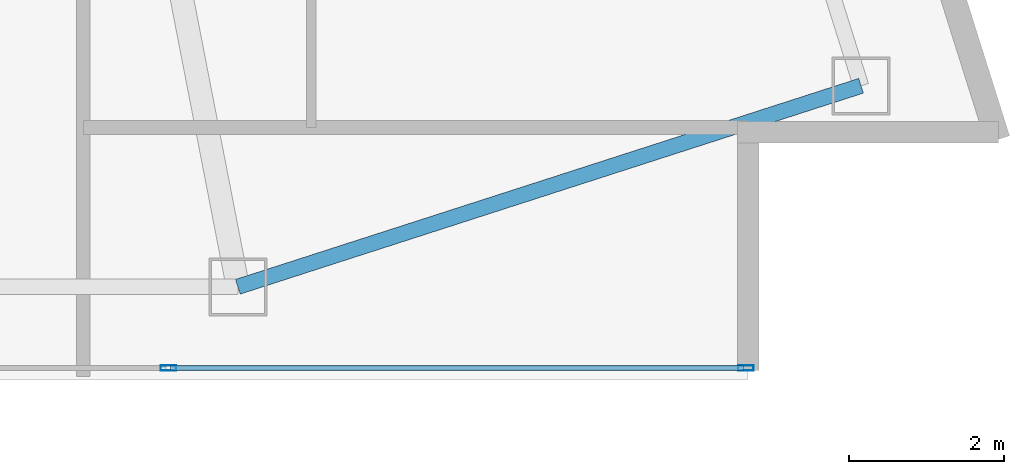
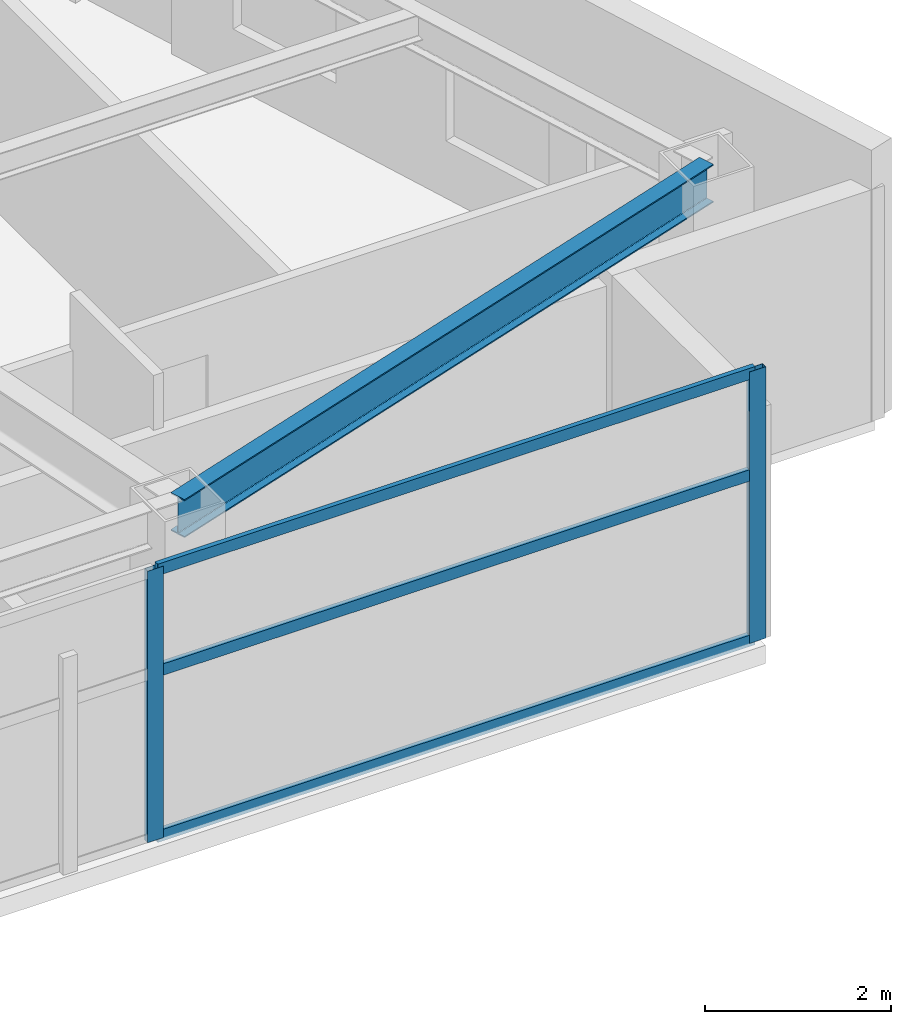
# One storey, part 14 of 29: 5 members, 1 beam, 1 element without a shape of its own.
"""IFC4 building model written with IfcOpenShell, lengths in metres."""

from ifc_helpers import new_model, si_unit, direction, frame, origin, origin_2d, place, context, subcontext, project, spatial, hollow_rectangle, i_section, extrude, material, layer, layer_set, material_profile, profile_set, type_object, element, aggregate, save


model = new_model("IFC4")

# Units and contexts
model_context = context("Model", 3, precision=1e-05, world=origin(), true_north=direction((0.0, 1.0)))
body_context = subcontext(model_context, "Body", "Model", "MODEL_VIEW")
ifc_project = project(units=[si_unit("LENGTHUNIT", "METRE"), si_unit("AREAUNIT", "SQUARE_METRE"), si_unit("VOLUMEUNIT", "CUBIC_METRE"), si_unit("PLANEANGLEUNIT", "RADIAN"), si_unit("MASSUNIT", "GRAM", prefix="KILO")], contexts=[model_context])

# Site, building, storey
site_placement = place(None, origin())
site = spatial("IfcSite", under=ifc_project, at=site_placement, CompositionType="ELEMENT")
building_placement = place(site_placement, origin())
building = spatial("IfcBuilding", under=site, at=building_placement, Name="Calvorn Quay Hotel", CompositionType="ELEMENT")
storey_placement = place(building_placement, frame((0.0, 0.0, 105.0)))
storey = spatial("IfcBuildingStorey", under=building, at=storey_placement, Name="L25", CompositionType="ELEMENT", Elevation=105.0)

# Beam
ifc_material_1 = material(Name="Steel Q355B", Category="steel")
ifc_material_profile_1 = material_profile(ifc_material_1, i_section(OverallWidth=0.199951171875, OverallDepth=0.5, WebThickness=0.010009765625, FlangeThickness=0.01611328125, FilletRadius=0.01611328125, at=origin_2d()), Name="HN500x200x10x16")
ifc_profile_set_1 = profile_set([ifc_material_profile_1], Name="Steel Q355B")
beam_type = type_object("IfcBeamType", Name="BM-SPANDREL-Z1", PredefinedType="SPANDREL", material=ifc_profile_set_1)
beam_placement = place(storey_placement, frame((49.39990234375, 3.60009765625, 3.2900390625), z_axis=(0.951725188386, 0.306951406237, 0.0), x_axis=(-0.306951406237, 0.951725188386, 0.0)))
element("IfcBeam", 1, at=beam_placement, inside=storey, type_object=beam_type, Name="Beam BSP-L25-S6", PredefinedType="SPANDREL", context=body_context, shape_type="SweptSolid", body=[
    extrude(i_section(OverallWidth=0.199951171875, OverallDepth=0.5, WebThickness=0.010009765625, FlangeThickness=0.01611328125, FilletRadius=0.01611328125, at=origin_2d()), origin(), (0.0, 0.0, 1.0), 8.469970703125),
])

# Curtain wall, members
ifc_material_2 = material(Name="Pale Anodised Aluminium and Low-E Glass", Category="aluminium")
ifc_layer = layer(ifc_material_2, 0.219970703125)
ifc_layer_set = layer_set([ifc_layer], Name="CW-SYS-Z2")
curtain_wall_type = type_object("IfcCurtainWallType", Name="CW-SYS-Z2", PredefinedType="NOTDEFINED", material=ifc_layer_set)
curtain_wall_placement = place(storey_placement, origin())
curtain_wall = element("IfcCurtainWall", 2, at=curtain_wall_placement, inside=storey, type_object=curtain_wall_type, Name="Tower South Waterfront Curtain Wall (L25)", PredefinedType="NOTDEFINED")
ifc_material_3 = material(Name="Pale Anodised Aluminium 6063-T6", Category="aluminium")
ifc_material_profile_2 = material_profile(ifc_material_3, hollow_rectangle(XDim=0.070068359375, YDim=0.199951171875, WallThickness=0.00390625, at=origin_2d()), Name="ALU-M200x70x4")
ifc_profile_set_2 = profile_set([ifc_material_profile_2], Name="Pale Anodised Aluminium 6063-T6")
member_type_1 = type_object("IfcMemberType", Name="CW-SYS-Z2-MUL", PredefinedType="MULLION", material=ifc_profile_set_2)
member_1_placement = place(storey_placement, frame((48.5, 2.550048828125, 0.0), z_axis=(0.0, 0.0, 1.0), x_axis=(0.0, 1.0, 0.0)))
member_1 = element("IfcMember", 3, at=member_1_placement, type_object=member_type_1, Name="CW-L25-S mullion 6", PredefinedType="MULLION", context=body_context, shape_type="SweptSolid", body=[
    extrude(hollow_rectangle(XDim=0.070068359375, YDim=0.199951171875, WallThickness=0.00390625, at=origin_2d()), origin(), (0.0, 0.0, 1.0), 3.56005859375),
])
member_2_placement = place(storey_placement, frame((55.969970703125, 2.550048828125, 0.0), z_axis=(0.0, 0.0, 1.0), x_axis=(0.0, 1.0, 0.0)))
member_2 = element("IfcMember", 4, at=member_2_placement, type_object=member_type_1, Name="CW-L25-S mullion 7", PredefinedType="MULLION", context=body_context, shape_type="SweptSolid", body=[
    extrude(hollow_rectangle(XDim=0.070068359375, YDim=0.199951171875, WallThickness=0.00390625, at=origin_2d()), origin(), (0.0, 0.0, 1.0), 3.56005859375),
])
ifc_material_4 = material(Name="Pale Anodised Aluminium 6063-T6", Category="aluminium")
ifc_material_profile_3 = material_profile(ifc_material_4, hollow_rectangle(XDim=0.06005859375, YDim=0.14990234375, WallThickness=0.00341796875, at=origin_2d()), Name="ALU-T150x60x3.5")
ifc_profile_set_3 = profile_set([ifc_material_profile_3], Name="Pale Anodised Aluminium 6063-T6")
member_type_2 = type_object("IfcMemberType", Name="CW-SYS-Z2-TRN", PredefinedType="USERDEFINED", material=ifc_profile_set_3)
member_3_placement = place(storey_placement, frame((48.530029296875, 2.550048828125, 0.030029296875), z_axis=(1.0, 0.0, 0.0), x_axis=(0.0, 1.0, 0.0)))
member_3 = element("IfcMember", 5, at=member_3_placement, type_object=member_type_2, Name="CW-L25-S transom 6.1", ObjectType="TRANSOM", PredefinedType="USERDEFINED", context=body_context, shape_type="SweptSolid", body=[
    extrude(hollow_rectangle(XDim=0.06005859375, YDim=0.14990234375, WallThickness=0.00341796875, at=origin_2d()), origin(), (0.0, 0.0, 1.0), 7.409912109375),
])
member_4_placement = place(storey_placement, frame((48.530029296875, 2.550048828125, 2.199951171875), z_axis=(1.0, 0.0, 0.0), x_axis=(0.0, 1.0, 0.0)))
member_4 = element("IfcMember", 6, at=member_4_placement, type_object=member_type_2, Name="CW-L25-S transom 6.2", ObjectType="TRANSOM", PredefinedType="USERDEFINED", context=body_context, shape_type="SweptSolid", body=[
    extrude(hollow_rectangle(XDim=0.06005859375, YDim=0.14990234375, WallThickness=0.00341796875, at=origin_2d()), origin(), (0.0, 0.0, 1.0), 7.409912109375),
])
member_5_placement = place(storey_placement, frame((48.530029296875, 2.550048828125, 3.530029296875), z_axis=(1.0, 0.0, 0.0), x_axis=(0.0, 1.0, 0.0)))
member_5 = element("IfcMember", 7, at=member_5_placement, type_object=member_type_2, Name="CW-L25-S transom 6.3", ObjectType="TRANSOM", PredefinedType="USERDEFINED", context=body_context, shape_type="SweptSolid", body=[
    extrude(hollow_rectangle(XDim=0.06005859375, YDim=0.14990234375, WallThickness=0.00341796875, at=origin_2d()), origin(), (0.0, 0.0, 1.0), 7.409912109375),
])
aggregate(curtain_wall, [member_1, member_2, member_3, member_4, member_5])

save(model, "model.ifc")
